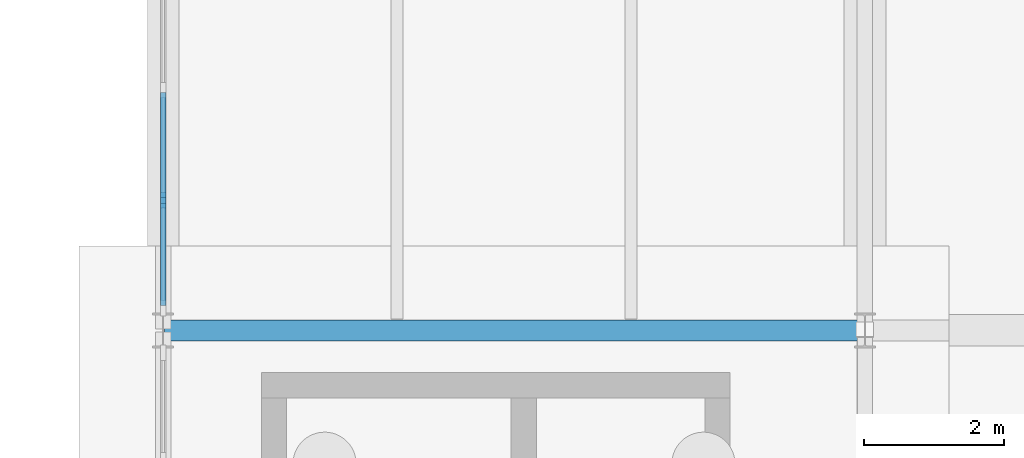
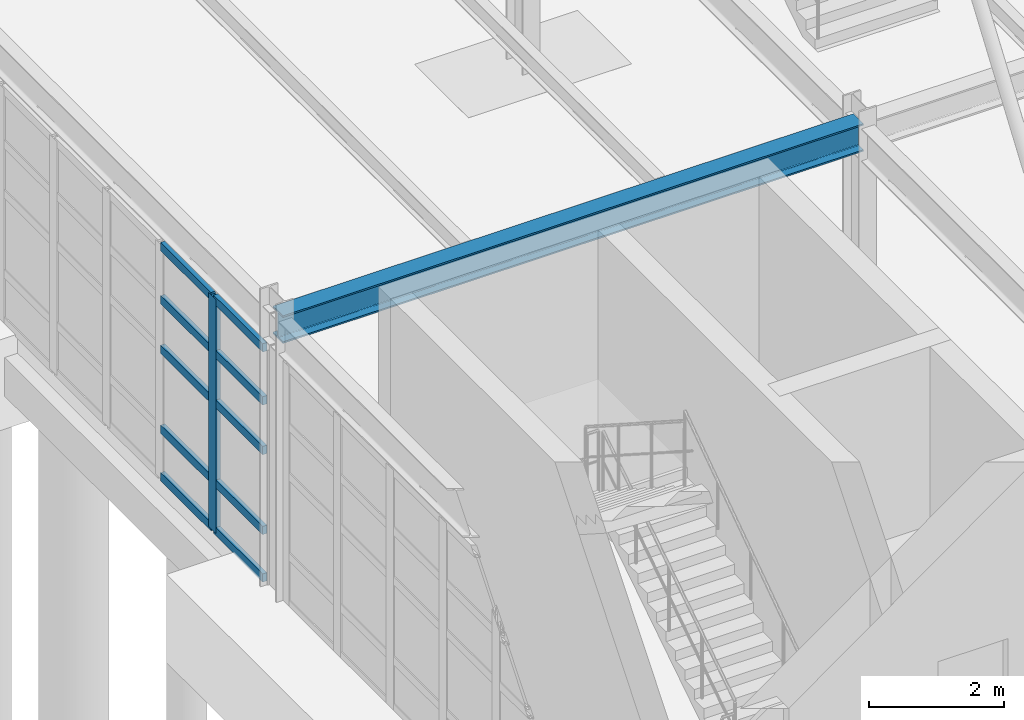
# One storey, part 41 of 145: 11 members, 1 beam, 1 element without a shape of its own.
"""IFC4 building model written with IfcOpenShell, lengths in metres."""

from ifc_helpers import new_model, si_unit, direction, frame, origin, origin_2d, place, context, subcontext, project, spatial, rectangle, i_section, extrude, material, layer, layer_set, material_profile, profile_set, type_object, element, aggregate, save


model = new_model("IFC4")

# Units and contexts
model_context = context("Model", 3, precision=1e-05, world=origin(), true_north=direction((0.0, 1.0)))
body_context = subcontext(model_context, "Body", "Model", "MODEL_VIEW")
ifc_project = project(units=[si_unit("LENGTHUNIT", "METRE"), si_unit("AREAUNIT", "SQUARE_METRE"), si_unit("VOLUMEUNIT", "CUBIC_METRE"), si_unit("PLANEANGLEUNIT", "RADIAN"), si_unit("MASSUNIT", "GRAM", prefix="KILO"), si_unit("THERMODYNAMICTEMPERATUREUNIT", "KELVIN"), si_unit("POWERUNIT", "WATT")], contexts=[model_context])

# Site, building, storey
site_placement = place(None, origin())
site = spatial("IfcSite", under=ifc_project, at=site_placement, CompositionType="ELEMENT")
building_placement = place(site_placement, origin())
building = spatial("IfcBuilding", under=site, at=building_placement, Name="Korenveer Ferry Terminal", CompositionType="ELEMENT")
storey_placement = place(building_placement, origin())
storey = spatial("IfcBuildingStorey", under=building, at=storey_placement, Name="L00", CompositionType="ELEMENT", Elevation=0.0)

# Curtain wall, members
ifc_material_1 = material(Name="Unitised bronze-and-glass curtain wall", Category="glass")
ifc_layer = layer(ifc_material_1, 0.219970703125)
ifc_layer_set = layer_set([ifc_layer], Name="Unitised bronze-and-glass curtain wall")
curtain_wall_type = type_object("IfcCurtainWallType", Name="ENV-CW-27", PredefinedType="USERDEFINED", material=ifc_layer_set)
curtain_wall_placement = place(storey_placement, frame((53.0, 60.280029296875, 0.0)))
curtain_wall = element("IfcCurtainWall", 1, at=curtain_wall_placement, inside=storey, type_object=curtain_wall_type, Name="Lancet curtain wall CWX-L00-X53-53-Y60-70", ObjectType="UNITISED CURTAIN WALL", PredefinedType="USERDEFINED")
ifc_material_2 = material(Name="Anodised bronze aluminium", Category="aluminium")
ifc_material_profile_1 = material_profile(ifc_material_2, rectangle(XDim=0.074951171875, YDim=0.219970703125, at=origin_2d()), Name="ALU 75x220")
ifc_profile_set_1 = profile_set([ifc_material_profile_1], Name="Anodised bronze aluminium")
member_type_1 = type_object("IfcMemberType", Name="ENV-CWM-75X220", PredefinedType="MULLION", material=ifc_profile_set_1)
member_1_placement = place(storey_placement, frame((53.0, 61.853271484375, 0.0), z_axis=(0.0, 0.0, 1.0), x_axis=(-1.0, 0.0, 0.0)))
member_1 = element("IfcMember", 2, at=member_1_placement, type_object=member_type_1, Name="CW-27 mullion 2", PredefinedType="MULLION", context=body_context, shape_type="SweptSolid", body=[
    extrude(rectangle(XDim=0.074951171875, YDim=0.219970703125, at=origin_2d()), origin(), (0.0, 0.0, 1.0), 4.25),
])
ifc_material_profile_2 = material_profile(ifc_material_2, rectangle(XDim=0.074951171875, YDim=0.14990234375, at=origin_2d()), Name="ALU 75x150")
ifc_profile_set_2 = profile_set([ifc_material_profile_2], Name="Anodised bronze aluminium")
member_type_2 = type_object("IfcMemberType", Name="ENV-CWT-75X150", PredefinedType="USERDEFINED", material=ifc_profile_set_2)
member_2_placement = place(storey_placement, frame((53.0, 60.35498046875, 0.03759765625), z_axis=(0.0, 1.0, 0.0), x_axis=(-1.0, 0.0, 0.0)))
member_2 = element("IfcMember", 3, at=member_2_placement, type_object=member_type_2, Name="CW-27 transom 1.1", ObjectType="TRANSOM", PredefinedType="USERDEFINED", context=body_context, shape_type="SweptSolid", body=[
    extrude(rectangle(XDim=0.074951171875, YDim=0.14990234375, at=origin_2d()), origin(), (0.0, 0.0, 1.0), 1.4609375),
])
member_3_placement = place(storey_placement, frame((53.0, 60.35498046875, 0.89990234375), z_axis=(0.0, 1.0, 0.0), x_axis=(-1.0, 0.0, 0.0)))
member_3 = element("IfcMember", 4, at=member_3_placement, type_object=member_type_2, Name="CW-27 transom 1.2", ObjectType="TRANSOM", PredefinedType="USERDEFINED", context=body_context, shape_type="SweptSolid", body=[
    extrude(rectangle(XDim=0.074951171875, YDim=0.14990234375, at=origin_2d()), origin(), (0.0, 0.0, 1.0), 1.4609375),
])
member_4_placement = place(storey_placement, frame((53.0, 60.35498046875, 2.35009765625), z_axis=(0.0, 1.0, 0.0), x_axis=(-1.0, 0.0, 0.0)))
member_4 = element("IfcMember", 5, at=member_4_placement, type_object=member_type_2, Name="CW-27 transom 1.3", ObjectType="TRANSOM", PredefinedType="USERDEFINED", context=body_context, shape_type="SweptSolid", body=[
    extrude(rectangle(XDim=0.074951171875, YDim=0.14990234375, at=origin_2d()), origin(), (0.0, 0.0, 1.0), 1.4609375),
])
member_5_placement = place(storey_placement, frame((53.0, 60.35498046875, 3.25), z_axis=(0.0, 1.0, 0.0), x_axis=(-1.0, 0.0, 0.0)))
member_5 = element("IfcMember", 6, at=member_5_placement, type_object=member_type_2, Name="CW-27 transom 1.4", ObjectType="TRANSOM", PredefinedType="USERDEFINED", context=body_context, shape_type="SweptSolid", body=[
    extrude(rectangle(XDim=0.074951171875, YDim=0.14990234375, at=origin_2d()), origin(), (0.0, 0.0, 1.0), 1.4609375),
])
member_6_placement = place(storey_placement, frame((53.0, 60.35498046875, 4.21240234375), z_axis=(0.0, 1.0, 0.0), x_axis=(-1.0, 0.0, 0.0)))
member_6 = element("IfcMember", 7, at=member_6_placement, type_object=member_type_2, Name="CW-27 transom 1.5", ObjectType="TRANSOM", PredefinedType="USERDEFINED", context=body_context, shape_type="SweptSolid", body=[
    extrude(rectangle(XDim=0.074951171875, YDim=0.14990234375, at=origin_2d()), origin(), (0.0, 0.0, 1.0), 1.4609375),
])
member_7_placement = place(storey_placement, frame((53.0, 61.890869140625, 0.03759765625), z_axis=(0.0, 1.0, 0.0), x_axis=(-1.0, 0.0, 0.0)))
member_7 = element("IfcMember", 8, at=member_7_placement, type_object=member_type_2, Name="CW-27 transom 2.1", ObjectType="TRANSOM", PredefinedType="USERDEFINED", context=body_context, shape_type="SweptSolid", body=[
    extrude(rectangle(XDim=0.074951171875, YDim=0.14990234375, at=origin_2d()), origin(), (0.0, 0.0, 1.0), 1.498291015625),
])
member_8_placement = place(storey_placement, frame((53.0, 61.890869140625, 0.89990234375), z_axis=(0.0, 1.0, 0.0), x_axis=(-1.0, 0.0, 0.0)))
member_8 = element("IfcMember", 9, at=member_8_placement, type_object=member_type_2, Name="CW-27 transom 2.2", ObjectType="TRANSOM", PredefinedType="USERDEFINED", context=body_context, shape_type="SweptSolid", body=[
    extrude(rectangle(XDim=0.074951171875, YDim=0.14990234375, at=origin_2d()), origin(), (0.0, 0.0, 1.0), 1.498291015625),
])
member_9_placement = place(storey_placement, frame((53.0, 61.890869140625, 2.35009765625), z_axis=(0.0, 1.0, 0.0), x_axis=(-1.0, 0.0, 0.0)))
member_9 = element("IfcMember", 10, at=member_9_placement, type_object=member_type_2, Name="CW-27 transom 2.3", ObjectType="TRANSOM", PredefinedType="USERDEFINED", context=body_context, shape_type="SweptSolid", body=[
    extrude(rectangle(XDim=0.074951171875, YDim=0.14990234375, at=origin_2d()), origin(), (0.0, 0.0, 1.0), 1.498291015625),
])
member_10_placement = place(storey_placement, frame((53.0, 61.890869140625, 3.25), z_axis=(0.0, 1.0, 0.0), x_axis=(-1.0, 0.0, 0.0)))
member_10 = element("IfcMember", 11, at=member_10_placement, type_object=member_type_2, Name="CW-27 transom 2.4", ObjectType="TRANSOM", PredefinedType="USERDEFINED", context=body_context, shape_type="SweptSolid", body=[
    extrude(rectangle(XDim=0.074951171875, YDim=0.14990234375, at=origin_2d()), origin(), (0.0, 0.0, 1.0), 1.498291015625),
])
member_11_placement = place(storey_placement, frame((53.0, 61.890869140625, 4.21240234375), z_axis=(0.0, 1.0, 0.0), x_axis=(-1.0, 0.0, 0.0)))
member_11 = element("IfcMember", 12, at=member_11_placement, type_object=member_type_2, Name="CW-27 transom 2.5", ObjectType="TRANSOM", PredefinedType="USERDEFINED", context=body_context, shape_type="SweptSolid", body=[
    extrude(rectangle(XDim=0.074951171875, YDim=0.14990234375, at=origin_2d()), origin(), (0.0, 0.0, 1.0), 1.498291015625),
])
aggregate(curtain_wall, [member_1, member_2, member_3, member_4, member_5, member_6, member_7, member_8, member_9, member_10, member_11])

# Beam
ifc_material_3 = material(Name="Steel S355", Category="steel")
ifc_material_profile_3 = material_profile(ifc_material_3, i_section(OverallWidth=0.300048828125, OverallDepth=0.5, WebThickness=0.014404296875, FlangeThickness=0.028076171875, FilletRadius=0.027099609375, at=origin_2d()), Name="HEB 500")
ifc_profile_set_3 = profile_set([ifc_material_profile_3], Name="Steel S355")
beam_type = type_object("IfcBeamType", Name="STR-BM-HEB500", PredefinedType="BEAM", material=ifc_profile_set_3)
beam_placement = place(storey_placement, frame((53.02001953125, 60.0, 4.830078125), z_axis=(1.0, 0.0, 0.0), x_axis=(0.0, 1.0, 0.0)))
element("IfcBeam", 13, at=beam_placement, inside=storey, type_object=beam_type, Name="Primary X girder BMX-L01-X53-63-Y60", PredefinedType="BEAM", context=body_context, shape_type="SweptSolid", body=[
    extrude(i_section(OverallWidth=0.300048828125, OverallDepth=0.5, WebThickness=0.014404296875, FlangeThickness=0.028076171875, FilletRadius=0.027099609375, at=origin_2d()), origin(), (0.0, 0.0, 1.0), 9.9599609375),
])

save(model, "model.ifc")
